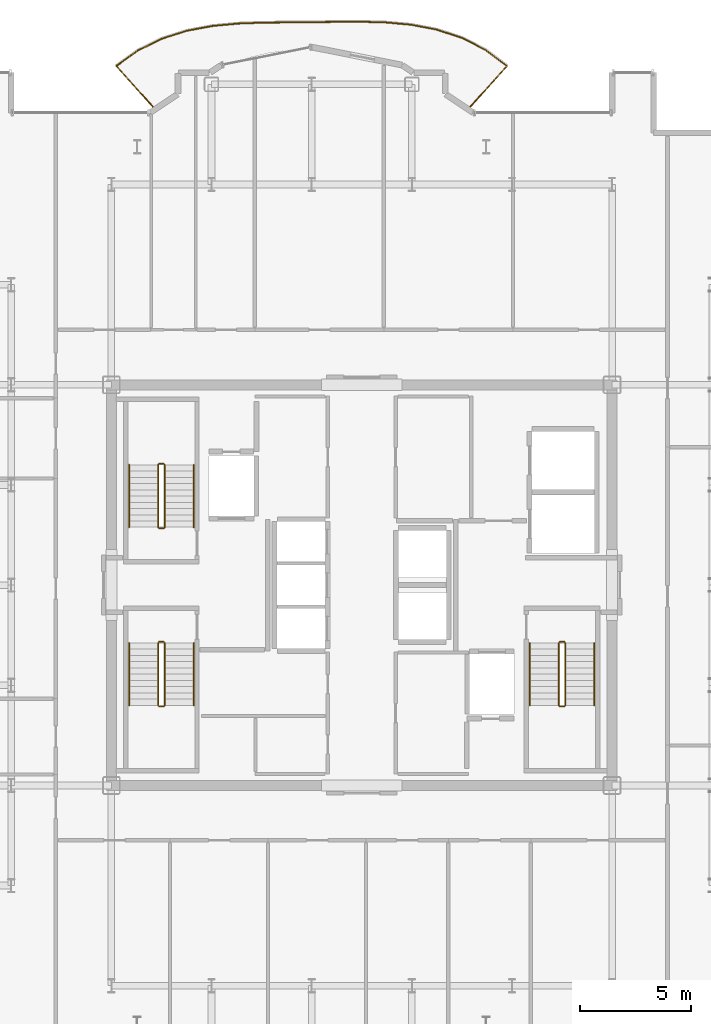
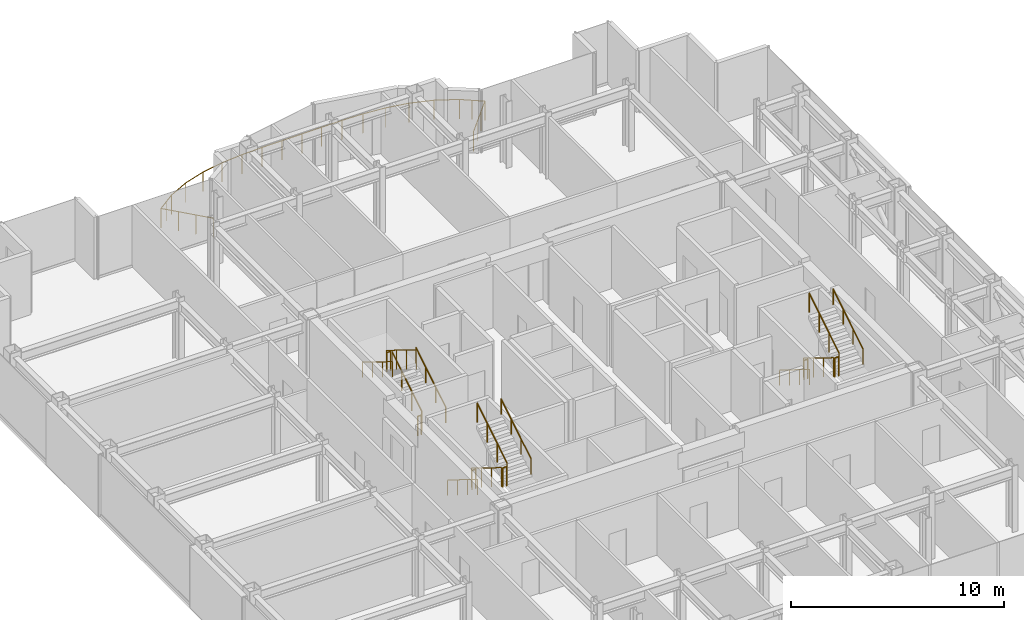
# One storey, part 16 of 16: 19 railings.
"""IFC4 building model written with IfcOpenShell, lengths in metres."""

import ifcopenshell
import ifcopenshell.guid

model = None  # the IFC model being written
_history = None  # IfcOwnerHistory: only IFC2X3 demands one
_inside = {}  # id of a spatial element -> (the spatial element, [elements in it])
_under = {}  # id of a project, library or spatial element -> (it, [spatial elements below it])
_declared = {}  # id of a project -> (the project, [libraries it declares])
_typed = {}  # id of a type object -> (the type object, [elements of that type])
_made_of = {}  # id of a material, layer set ... -> (it, [elements and type objects made of it])


def new_model(schema):
    """Start an empty IFC model of exactly this schema.

    Asked for "IFC4X3", IfcOpenShell would pick the latest addendum, in which some entities
    have other attributes; the version numbers below select the first issue.
    IFC2X3 requires an IfcOwnerHistory on every rooted entity: one is made here for all.
    """
    global model, _history
    if schema == "IFC4X3":
        model = ifcopenshell.file(schema_version=(4, 3, 0, 0))
    else:
        model = ifcopenshell.file(schema=schema)
    _inside.clear()
    _under.clear()
    _declared.clear()
    _typed.clear()
    _made_of.clear()
    _history = None
    if model.schema == "IFC2X3":
        org = make("IfcOrganization", Name="unknown")
        user = make(
            "IfcPersonAndOrganization",
            ThePerson=make("IfcPerson", FamilyName="unknown"),
            TheOrganization=org,
        )
        app = make(
            "IfcApplication",
            ApplicationDeveloper=org,
            Version="unknown",
            ApplicationFullName="unknown",
            ApplicationIdentifier="unknown",
        )
        _history = make(
            "IfcOwnerHistory",
            OwningUser=user,
            OwningApplication=app,
            ChangeAction="ADDED",
            CreationDate=0,
        )
    return model


def make(cls, **values):
    """One entity of the class cls with the attributes given. An attribute that is None is left unset."""
    return model.create_entity(
        cls, **{name: value for name, value in values.items() if value is not None}
    )


def rooted(cls, **values):
    """An entity with a GlobalId (a new one), such as an element, a storey or a relation."""
    return make(cls, GlobalId=ifcopenshell.guid.new(), OwnerHistory=_history, **values)


def si_unit(unit_type, name, prefix=None):
    """IfcSIUnit, for example si_unit("LENGTHUNIT", "METRE", prefix="MILLI")."""
    return make("IfcSIUnit", UnitType=unit_type, Prefix=prefix, Name=name)


def assignment(units):
    """IfcUnitAssignment: the units of a project."""
    return None if units is None else make("IfcUnitAssignment", Units=units)


def point(xyz):
    """IfcCartesianPoint."""
    return None if xyz is None else make("IfcCartesianPoint", Coordinates=xyz)


def direction(xyz):
    """IfcDirection."""
    return None if xyz is None else make("IfcDirection", DirectionRatios=xyz)


def frame(location, z_axis=None, x_axis=None):
    """IfcAxis2Placement3D, a coordinate frame: its origin and axes. An axis left out is left unset."""
    return make(
        "IfcAxis2Placement3D",
        Location=point(location),
        Axis=direction(z_axis),
        RefDirection=direction(x_axis),
    )


def frame_2d(location, x_axis=None):
    """IfcAxis2Placement2D, a coordinate frame in the plane: its origin and x axis."""
    return make(
        "IfcAxis2Placement2D", Location=point(location), RefDirection=direction(x_axis)
    )


def origin():
    """The frame at (0, 0, 0) with its axes left unset."""
    return frame((0.0, 0.0, 0.0))


def origin_2d():
    """The frame at (0, 0) in the plane with its x axis left unset."""
    return frame_2d((0.0, 0.0))


def place(relative_to, where):
    """IfcLocalPlacement: puts the frame where relative to a parent placement (None: the world)."""
    return make(
        "IfcLocalPlacement", PlacementRelTo=relative_to, RelativePlacement=where
    )


def context(
    kind, dimensions, precision=None, world=None, true_north=None, identifier=None
):
    """IfcGeometricRepresentationContext, for example the 3D "Model" context."""
    return make(
        "IfcGeometricRepresentationContext",
        ContextIdentifier=identifier,
        ContextType=kind,
        CoordinateSpaceDimension=dimensions,
        Precision=precision,
        WorldCoordinateSystem=world,
        TrueNorth=true_north,
    )


def subcontext(parent, identifier, kind, view, scale=None):
    """IfcGeometricRepresentationSubContext, for example "Body" below "Model"."""
    return make(
        "IfcGeometricRepresentationSubContext",
        ContextIdentifier=identifier,
        ContextType=kind,
        ParentContext=parent,
        TargetScale=scale,
        TargetView=view,
    )


def project(units=None, contexts=None):
    """IfcProject with its units and contexts."""
    return rooted(
        "IfcProject",
        Name="project",
        RepresentationContexts=contexts,
        UnitsInContext=assignment(units),
    )


def spatial(cls, under=None, at=None, **own):
    """A site, building, storey or space (cls), placed at a placement, below another one or the project."""
    s = rooted(cls, ObjectPlacement=at, **own)
    if under is not None:
        _under.setdefault(under.id(), (under, []))[1].append(s)
    return s


def profile(cls, at=None, kind="AREA", **sizes):
    """A parametric profile (cls). Its sizes go by their IFC names, for example OverallWidth=200.0."""
    return make(cls, ProfileType=kind, Position=at, **sizes)


def circle(**sizes):
    """IfcCircleProfileDef."""
    return profile("IfcCircleProfileDef", **sizes)


def extrude(swept, where, along, depth):
    """IfcExtrudedAreaSolid: the profile swept, set in the frame where, extruded along a direction by depth."""
    return make(
        "IfcExtrudedAreaSolid",
        SweptArea=swept,
        Position=where,
        ExtrudedDirection=direction(along),
        Depth=depth,
    )


def shape(context_of_items, identifier, shape_type, items):
    """IfcShapeRepresentation: the items that make up one representation, for example the "Body"."""
    return make(
        "IfcShapeRepresentation",
        ContextOfItems=context_of_items,
        RepresentationIdentifier=identifier,
        RepresentationType=shape_type,
        Items=items,
    )


def material(Name=None, Category=None):
    """IfcMaterial."""
    return make("IfcMaterial", Name=Name, Category=Category)


def made_of(thing, what):
    """Note that an element or type object is made of a material, layer set ...; save() writes the relation."""
    if what is not None:
        _made_of.setdefault(what.id(), (what, []))[1].append(thing)
    return thing


def type_object(cls, material=None, **own):
    """A type object (cls), such as IfcWallType, which elements share."""
    return made_of(rooted(cls, **own), material)


def element(
    cls,
    number,
    at=None,
    inside=None,
    cuts=None,
    type_object=None,
    material=None,
    context=None,
    identifier="Body",
    shape_type=None,
    held_by="IfcProductDefinitionShape",
    body=None,
    shapes=None,
    **own,
):
    """One element of the class cls, such as IfcWall. Its Tag is "e" and its number.

    at: its placement. inside: the storey or other place that contains it. cuts: it is an
    opening in that element (IfcRelVoidsElement). A single representation is given by context,
    identifier, shape_type and body (its items); several are given by shapes. held_by: the class
    of the entity that holds the representations. save() writes the other relations.
    """
    e = rooted(cls, Tag="e%d" % number, ObjectPlacement=at, **own)
    if body is not None:
        shapes = [shape(context, identifier, shape_type, body)]
    if shapes is not None:
        e.Representation = make(held_by, Representations=shapes)
    if inside is not None:
        _inside.setdefault(inside.id(), (inside, []))[1].append(e)
    if cuts is not None:
        rooted(
            "IfcRelVoidsElement", RelatingBuildingElement=cuts, RelatedOpeningElement=e
        )
    if type_object is not None:
        _typed.setdefault(type_object.id(), (type_object, []))[1].append(e)
    return made_of(e, material)


def aggregate(whole, parts):
    """IfcRelAggregates: a whole, such as a stair, and the parts it consists of."""
    return rooted("IfcRelAggregates", RelatingObject=whole, RelatedObjects=parts)


def save(model, path):
    """Write the relations noted so far, then the file.

    IfcRelAggregates (storeys below a building ...), IfcRelContainedInSpatialStructure (elements
    in a storey), IfcRelDefinesByType, IfcRelAssociatesMaterial and IfcRelDeclares: one each for
    every whole, place, type object, material and project.
    """
    for whole, parts in _under.values():
        aggregate(whole, parts)
    for where, things in _inside.values():
        rooted(
            "IfcRelContainedInSpatialStructure",
            RelatedElements=things,
            RelatingStructure=where,
        )
    for kind, things in _typed.values():
        rooted("IfcRelDefinesByType", RelatedObjects=things, RelatingType=kind)
    for what, things in _made_of.values():
        rooted("IfcRelAssociatesMaterial", RelatedObjects=things, RelatingMaterial=what)
    for by, libraries in _declared.values():
        rooted("IfcRelDeclares", RelatingContext=by, RelatedDefinitions=libraries)
    model.write(path)


model = new_model("IFC4")

# Units and contexts
model_context = context("Model", 3, precision=1e-05, world=origin(), true_north=direction((0.0, 1.0)))
body_context = subcontext(model_context, "Body", "Model", "MODEL_VIEW")
ifc_project = project(units=[si_unit("LENGTHUNIT", "METRE"), si_unit("AREAUNIT", "SQUARE_METRE"), si_unit("VOLUMEUNIT", "CUBIC_METRE"), si_unit("PLANEANGLEUNIT", "RADIAN"), si_unit("MASSUNIT", "GRAM", prefix="KILO")], contexts=[model_context])

# Site, building, storey
site_placement = place(None, origin())
site = spatial("IfcSite", under=ifc_project, at=site_placement, CompositionType="ELEMENT")
building_placement = place(site_placement, origin())
building = spatial("IfcBuilding", under=site, at=building_placement, Name="Nefas-Gora Pilgrimage Tower", CompositionType="ELEMENT")
storey_placement = place(building_placement, frame((0.0, 0.0, 276.0)))
storey = spatial("IfcBuildingStorey", under=building, at=storey_placement, Name="L69", CompositionType="ELEMENT", Elevation=276.0)

# Railings
ifc_material_1 = material(Name="Laminated safety glass and stainless steel", Category="steel")
railing_type_1 = type_object("IfcRailingType", Name="RLG-BAL-1100", PredefinedType="BALUSTRADE", material=ifc_material_1)
railing_1_placement = place(storey_placement, frame((4.802490234375, 21.402587890625, 0.0)))
element("IfcRailing", 1, at=railing_1_placement, inside=storey, type_object=railing_type_1, Name="L69 Wave Balcony Balustrade N1", PredefinedType="BALUSTRADE", context=body_context, shape_type="SweptSolid", body=[
    extrude(circle(Radius=0.02392578125, at=origin_2d()), frame((0.0, 0.0, 1.09619140625), z_axis=(0.669142449017, 0.743134162129, 0.0), x_axis=(-0.743134162129, 0.669142449017, 0.0)), (0.0, 0.0, 1.0), 2.580322265625),
    extrude(circle(Radius=0.02392578125, at=origin_2d()), frame((1.7265625, 1.91748046875, 1.09619140625), z_axis=(-0.799609380454, 0.600520473164, 0.0), x_axis=(-0.600520473164, -0.799609380454, 0.0)), (0.0, 0.0, 1.0), 1.200439453125),
    extrude(circle(Radius=0.02392578125, at=origin_2d()), frame((0.7666015625, 2.638427734375, 1.09619140625), z_axis=(-0.890733279512, 0.45452637412, 0.0), x_axis=(-0.45452637412, -0.890733279512, 0.0)), (0.0, 0.0, 1.0), 1.199462890625),
    extrude(circle(Radius=0.02392578125, at=origin_2d()), frame((-0.3017578125, 3.18359375, 1.09619140625), z_axis=(-0.950145160324, 0.311807912523, 0.0), x_axis=(-0.311807912523, -0.950145160324, 0.0)), (0.0, 0.0, 1.0), 1.194091796875),
    extrude(circle(Radius=0.02392578125, at=origin_2d()), frame((-1.436279296875, 3.555908203125, 1.09619140625), z_axis=(-0.982457799544, 0.186485045284, 0.0), x_axis=(-0.186485045284, -0.982457799544, 0.0)), (0.0, 0.0, 1.0), 1.180908203125),
    extrude(circle(Radius=0.02392578125, at=origin_2d()), frame((-2.596435546875, 3.776123046875, 1.09619140625), z_axis=(-0.996011638398, 0.089223405981, 0.0), x_axis=(-0.089223405981, -0.996011638398, 0.0)), (0.0, 0.0, 1.0), 1.157470703125),
    extrude(circle(Radius=0.02392578125, at=origin_2d()), frame((-3.749267578125, 3.87939453125, 1.09619140625), z_axis=(-0.99967356135, 0.025549378436, 0.0), x_axis=(-0.025549378436, -0.99967356135, 0.0)), (0.0, 0.0, 1.0), 1.127685546875),
    extrude(circle(Radius=0.02392578125, at=origin_2d()), frame((-4.87646484375, 3.908203125, 1.09619140625), z_axis=(-0.999980616702, -0.00622625245, 0.0), x_axis=(0.00622625245, -0.999980616702, 0.0)), (0.0, 0.0, 1.0), 1.097900390625),
    extrude(circle(Radius=0.02392578125, at=origin_2d()), frame((-5.974365234375, 3.9013671875, 1.09619140625), z_axis=(-0.99992244912, -0.012453744271, 0.0), x_axis=(0.012453744271, -0.99992244912, 0.0)), (0.0, 0.0, 1.0), 1.078125),
    extrude(circle(Radius=0.02392578125, at=origin_2d()), frame((-7.052490234375, 3.887939453125, 1.09619140625), z_axis=(-0.999968478826, -0.007939858611, 0.0), x_axis=(0.007939858611, -0.999968478826, 0.0)), (0.0, 0.0, 1.0), 1.076171875),
    extrude(circle(Radius=0.02392578125, at=origin_2d()), frame((-8.128662109375, 3.87939453125, 1.09619140625), z_axis=(-0.999947171878, -0.010278786571, 0.0), x_axis=(0.010278786571, -0.999947171878, 0.0)), (0.0, 0.0, 1.0), 1.092529296875),
    extrude(circle(Radius=0.02392578125, at=origin_2d()), frame((-9.22119140625, 3.8681640625, 1.09619140625), z_axis=(-0.99936174395, -0.03572260811, 0.0), x_axis=(0.03572260811, -0.99936174395, 0.0)), (0.0, 0.0, 1.0), 1.120849609375),
    extrude(circle(Radius=0.02392578125, at=origin_2d()), frame((-10.34130859375, 3.828125, 1.09619140625), z_axis=(-0.995737068409, -0.092237143262, 0.0), x_axis=(0.092237143262, -0.995737068409, 0.0)), (0.0, 0.0, 1.0), 1.1513671875),
    extrude(circle(Radius=0.02392578125, at=origin_2d()), frame((-11.48779296875, 3.721923828125, 1.09619140625), z_axis=(-0.983222780011, -0.182408785063, 0.0), x_axis=(0.182408785063, -0.983222780011, 0.0)), (0.0, 0.0, 1.0), 1.176513671875),
    extrude(circle(Radius=0.02392578125, at=origin_2d()), frame((-12.64453125, 3.50732421875, 1.09619140625), z_axis=(-0.953347137132, -0.301876193369, 0.0), x_axis=(0.301876193369, -0.953347137132, 0.0)), (0.0, 0.0, 1.0), 1.192138671875),
    extrude(circle(Radius=0.02392578125, at=origin_2d()), frame((-13.781005859375, 3.1474609375, 1.09619140625), z_axis=(-0.8975416003, -0.440929785489, 0.0), x_axis=(0.440929785489, -0.8975416003, 0.0)), (0.0, 0.0, 1.0), 1.19873046875),
    extrude(circle(Radius=0.02392578125, at=origin_2d()), frame((-14.85693359375, 2.618896484375, 1.09619140625), z_axis=(-0.81049147795, -0.58575042823, 0.0), x_axis=(0.58575042823, -0.81049147795, 0.0)), (0.0, 0.0, 1.0), 1.200439453125),
    extrude(circle(Radius=0.02392578125, at=origin_2d()), frame((-15.829833984375, 1.915771484375, 1.09619140625), z_axis=(0.669105995394, -0.743166984552, 0.0), x_axis=(0.743166984552, 0.669105995394, 0.0)), (0.0, 0.0, 1.0), 2.577880859375),
    extrude(circle(Radius=0.02099609375, at=origin_2d()), origin(), (0.0, 0.0, 1.0), 1.072021484375),
    extrude(circle(Radius=0.02099609375, at=origin_2d()), frame((0.575439453125, 0.63916015625, 0.0)), (0.0, 0.0, 1.0), 1.072021484375),
    extrude(circle(Radius=0.02099609375, at=origin_2d()), frame((1.151123046875, 1.2783203125, 0.0)), (0.0, 0.0, 1.0), 1.072021484375),
    extrude(circle(Radius=0.02099609375, at=origin_2d()), frame((1.7265625, 1.91748046875, 0.0)), (0.0, 0.0, 1.0), 1.072021484375),
    extrude(circle(Radius=0.02099609375, at=origin_2d()), frame((1.24658203125, 2.27783203125, 0.0)), (0.0, 0.0, 1.0), 1.072021484375),
    extrude(circle(Radius=0.02099609375, at=origin_2d()), frame((0.7666015625, 2.638427734375, 0.0)), (0.0, 0.0, 1.0), 1.072021484375),
    extrude(circle(Radius=0.02099609375, at=origin_2d()), frame((-0.3017578125, 3.18359375, 0.0)), (0.0, 0.0, 1.0), 1.072021484375),
    extrude(circle(Radius=0.02099609375, at=origin_2d()), frame((-1.436279296875, 3.555908203125, 0.0)), (0.0, 0.0, 1.0), 1.072021484375),
    extrude(circle(Radius=0.02099609375, at=origin_2d()), frame((-2.596435546875, 3.776123046875, 0.0)), (0.0, 0.0, 1.0), 1.072021484375),
    extrude(circle(Radius=0.02099609375, at=origin_2d()), frame((-3.749267578125, 3.87939453125, 0.0)), (0.0, 0.0, 1.0), 1.072021484375),
    extrude(circle(Radius=0.02099609375, at=origin_2d()), frame((-4.87646484375, 3.908203125, 0.0)), (0.0, 0.0, 1.0), 1.072021484375),
    extrude(circle(Radius=0.02099609375, at=origin_2d()), frame((-5.974365234375, 3.9013671875, 0.0)), (0.0, 0.0, 1.0), 1.072021484375),
    extrude(circle(Radius=0.02099609375, at=origin_2d()), frame((-7.052490234375, 3.887939453125, 0.0)), (0.0, 0.0, 1.0), 1.072021484375),
    extrude(circle(Radius=0.02099609375, at=origin_2d()), frame((-8.128662109375, 3.87939453125, 0.0)), (0.0, 0.0, 1.0), 1.072021484375),
    extrude(circle(Radius=0.02099609375, at=origin_2d()), frame((-9.22119140625, 3.8681640625, 0.0)), (0.0, 0.0, 1.0), 1.072021484375),
    extrude(circle(Radius=0.02099609375, at=origin_2d()), frame((-10.34130859375, 3.828125, 0.0)), (0.0, 0.0, 1.0), 1.072021484375),
    extrude(circle(Radius=0.02099609375, at=origin_2d()), frame((-11.48779296875, 3.721923828125, 0.0)), (0.0, 0.0, 1.0), 1.072021484375),
    extrude(circle(Radius=0.02099609375, at=origin_2d()), frame((-12.64453125, 3.50732421875, 0.0)), (0.0, 0.0, 1.0), 1.072021484375),
    extrude(circle(Radius=0.02099609375, at=origin_2d()), frame((-13.781005859375, 3.1474609375, 0.0)), (0.0, 0.0, 1.0), 1.072021484375),
    extrude(circle(Radius=0.02099609375, at=origin_2d()), frame((-14.85693359375, 2.618896484375, 0.0)), (0.0, 0.0, 1.0), 1.072021484375),
    extrude(circle(Radius=0.02099609375, at=origin_2d()), frame((-15.34326171875, 2.267333984375, 0.0)), (0.0, 0.0, 1.0), 1.072021484375),
    extrude(circle(Radius=0.02099609375, at=origin_2d()), frame((-15.829833984375, 1.915771484375, 0.0)), (0.0, 0.0, 1.0), 1.072021484375),
    extrude(circle(Radius=0.02099609375, at=origin_2d()), frame((-15.2548828125, 1.277099609375, 0.0)), (0.0, 0.0, 1.0), 1.072021484375),
    extrude(circle(Radius=0.02099609375, at=origin_2d()), frame((-14.679931640625, 0.638671875, 0.0)), (0.0, 0.0, 1.0), 1.072021484375),
    extrude(circle(Radius=0.02099609375, at=origin_2d()), frame((-14.10498046875, 0.0, 0.0)), (0.0, 0.0, 1.0), 1.072021484375),
])
ifc_material_2 = material(Name="Painted galvanised steel", Category="steel")
railing_type_2 = type_object("IfcRailingType", Name="RLG-STR-GUARD-1100", PredefinedType="GUARDRAIL", material=ifc_material_2)
railing_2_placement = place(storey_placement, frame((-8.85009765625, 2.60009765625, 0.172607421875)))
element("IfcRailing", 2, at=railing_2_placement, inside=storey, type_object=railing_type_2, Name="L69 ST-01 stair guard 1", PredefinedType="GUARDRAIL", context=body_context, shape_type="SweptSolid", body=[
    extrude(circle(Radius=0.02392578125, at=origin_2d()), frame((0.0, 0.0, 1.09619140625), z_axis=(0.0, 0.851069175582, 0.525053576669), x_axis=(-1.0, 0.0, 0.0)), (0.0, 0.0, 1.0), 3.289794921875),
    extrude(circle(Radius=0.02099609375, at=origin_2d()), origin(), (0.0, 0.0, 1.0), 1.072021484375),
    extrude(circle(Radius=0.02099609375, at=origin_2d()), frame((0.0, 0.933349609375, 0.57568359375)), (0.0, 0.0, 1.0), 1.072021484375),
    extrude(circle(Radius=0.02099609375, at=origin_2d()), frame((0.0, 1.866455078125, 1.151611328125)), (0.0, 0.0, 1.0), 1.072021484375),
    extrude(circle(Radius=0.02099609375, at=origin_2d()), frame((0.0, 2.7998046875, 1.727294921875)), (0.0, 0.0, 1.0), 1.072021484375),
])
railing_3_placement = place(storey_placement, frame((-8.89990234375, 5.449951171875, 1.89990234375)))
element("IfcRailing", 3, at=railing_3_placement, inside=storey, type_object=railing_type_2, Name="L69 ST-01 stair guard 2", PredefinedType="GUARDRAIL", context=body_context, shape_type="SweptSolid", body=[
    extrude(circle(Radius=0.02392578125, at=origin_2d()), frame((0.0, 0.0, 1.09619140625), z_axis=(-1.0, 0.0, 0.0), x_axis=(0.0, -1.0, 0.0)), (0.0, 0.0, 1.0), 0.2001953125),
    extrude(circle(Radius=0.02099609375, at=origin_2d()), origin(), (0.0, 0.0, 1.0), 1.072021484375),
    extrude(circle(Radius=0.02099609375, at=origin_2d()), frame((-0.2001953125, 0.0, 0.0)), (0.0, 0.0, 1.0), 1.072021484375),
])
railing_4_placement = place(storey_placement, frame((-9.14990234375, 5.39990234375, 2.07275390625)))
element("IfcRailing", 4, at=railing_4_placement, inside=storey, type_object=railing_type_2, Name="L69 ST-01 stair guard 3", PredefinedType="GUARDRAIL", context=body_context, shape_type="SweptSolid", body=[
    extrude(circle(Radius=0.02392578125, at=origin_2d()), frame((0.0, 0.0, 1.09619140625), z_axis=(0.0, -0.851069175582, 0.525053576669), x_axis=(1.0, 0.0, 0.0)), (0.0, 0.0, 1.0), 3.289794921875),
    extrude(circle(Radius=0.02099609375, at=origin_2d()), origin(), (0.0, 0.0, 1.0), 1.072021484375),
    extrude(circle(Radius=0.02099609375, at=origin_2d()), frame((0.0, -0.933349609375, 0.57568359375)), (0.0, 0.0, 1.0), 1.072021484375),
    extrude(circle(Radius=0.02099609375, at=origin_2d()), frame((0.0, -1.866455078125, 1.151611328125)), (0.0, 0.0, 1.0), 1.072021484375),
    extrude(circle(Radius=0.02099609375, at=origin_2d()), frame((0.0, -2.7998046875, 1.727294921875)), (0.0, 0.0, 1.0), 1.072021484375),
])
railing_5_placement = place(storey_placement, frame((-8.89990234375, 2.550048828125, 0.0)))
element("IfcRailing", 5, at=railing_5_placement, inside=storey, type_object=railing_type_2, Name="L69 ST-01 stair guard 4", PredefinedType="GUARDRAIL", context=body_context, shape_type="SweptSolid", body=[
    extrude(circle(Radius=0.02392578125, at=origin_2d()), frame((0.0, 0.0, 1.09619140625), z_axis=(-1.0, 0.0, 0.0), x_axis=(0.0, -1.0, 0.0)), (0.0, 0.0, 1.0), 0.2001953125),
    extrude(circle(Radius=0.02099609375, at=origin_2d()), origin(), (0.0, 0.0, 1.0), 1.072021484375),
    extrude(circle(Radius=0.02099609375, at=origin_2d()), frame((-0.2001953125, 0.0, 0.0)), (0.0, 0.0, 1.0), 1.072021484375),
])
railing_6_placement = place(storey_placement, frame((8.85009765625, -2.60009765625, 0.172607421875)))
element("IfcRailing", 6, at=railing_6_placement, inside=storey, type_object=railing_type_2, Name="L69 ST-02 stair guard 1", PredefinedType="GUARDRAIL", context=body_context, shape_type="SweptSolid", body=[
    extrude(circle(Radius=0.02392578125, at=origin_2d()), frame((0.0, 0.0, 1.09619140625), z_axis=(0.0, -0.851069175582, 0.525053576669), x_axis=(1.0, 0.0, 0.0)), (0.0, 0.0, 1.0), 3.289794921875),
    extrude(circle(Radius=0.02099609375, at=origin_2d()), origin(), (0.0, 0.0, 1.0), 1.072021484375),
    extrude(circle(Radius=0.02099609375, at=origin_2d()), frame((0.0, -0.933349609375, 0.57568359375)), (0.0, 0.0, 1.0), 1.072021484375),
    extrude(circle(Radius=0.02099609375, at=origin_2d()), frame((0.0, -1.866455078125, 1.151611328125)), (0.0, 0.0, 1.0), 1.072021484375),
    extrude(circle(Radius=0.02099609375, at=origin_2d()), frame((0.0, -2.7998046875, 1.727294921875)), (0.0, 0.0, 1.0), 1.072021484375),
])
railing_7_placement = place(storey_placement, frame((8.89990234375, -5.449951171875, 1.89990234375)))
element("IfcRailing", 7, at=railing_7_placement, inside=storey, type_object=railing_type_2, Name="L69 ST-02 stair guard 2", PredefinedType="GUARDRAIL", context=body_context, shape_type="SweptSolid", body=[
    extrude(circle(Radius=0.02392578125, at=origin_2d()), frame((0.0, 0.0, 1.09619140625), z_axis=(1.0, 0.0, 0.0), x_axis=(0.0, 1.0, 0.0)), (0.0, 0.0, 1.0), 0.2001953125),
    extrude(circle(Radius=0.02099609375, at=origin_2d()), origin(), (0.0, 0.0, 1.0), 1.072021484375),
    extrude(circle(Radius=0.02099609375, at=origin_2d()), frame((0.2001953125, 0.0, 0.0)), (0.0, 0.0, 1.0), 1.072021484375),
])
railing_8_placement = place(storey_placement, frame((9.14990234375, -5.39990234375, 2.07275390625)))
element("IfcRailing", 8, at=railing_8_placement, inside=storey, type_object=railing_type_2, Name="L69 ST-02 stair guard 3", PredefinedType="GUARDRAIL", context=body_context, shape_type="SweptSolid", body=[
    extrude(circle(Radius=0.02392578125, at=origin_2d()), frame((0.0, 0.0, 1.09619140625), z_axis=(0.0, 0.851069175582, 0.525053576669), x_axis=(-1.0, 0.0, 0.0)), (0.0, 0.0, 1.0), 3.289794921875),
    extrude(circle(Radius=0.02099609375, at=origin_2d()), origin(), (0.0, 0.0, 1.0), 1.072021484375),
    extrude(circle(Radius=0.02099609375, at=origin_2d()), frame((0.0, 0.933349609375, 0.57568359375)), (0.0, 0.0, 1.0), 1.072021484375),
    extrude(circle(Radius=0.02099609375, at=origin_2d()), frame((0.0, 1.866455078125, 1.151611328125)), (0.0, 0.0, 1.0), 1.072021484375),
    extrude(circle(Radius=0.02099609375, at=origin_2d()), frame((0.0, 2.7998046875, 1.727294921875)), (0.0, 0.0, 1.0), 1.072021484375),
])
railing_9_placement = place(storey_placement, frame((8.89990234375, -2.550048828125, 0.0)))
element("IfcRailing", 9, at=railing_9_placement, inside=storey, type_object=railing_type_2, Name="L69 ST-02 stair guard 4", PredefinedType="GUARDRAIL", context=body_context, shape_type="SweptSolid", body=[
    extrude(circle(Radius=0.02392578125, at=origin_2d()), frame((0.0, 0.0, 1.09619140625), z_axis=(1.0, 0.0, 0.0), x_axis=(0.0, 1.0, 0.0)), (0.0, 0.0, 1.0), 0.2001953125),
    extrude(circle(Radius=0.02099609375, at=origin_2d()), origin(), (0.0, 0.0, 1.0), 1.072021484375),
    extrude(circle(Radius=0.02099609375, at=origin_2d()), frame((0.2001953125, 0.0, 0.0)), (0.0, 0.0, 1.0), 1.072021484375),
])
railing_10_placement = place(storey_placement, frame((-9.14990234375, -2.60009765625, 0.172607421875)))
element("IfcRailing", 10, at=railing_10_placement, inside=storey, type_object=railing_type_2, Name="L69 ST-03 stair guard 1", PredefinedType="GUARDRAIL", context=body_context, shape_type="SweptSolid", body=[
    extrude(circle(Radius=0.02392578125, at=origin_2d()), frame((0.0, 0.0, 1.09619140625), z_axis=(0.0, -0.851069175582, 0.525053576669), x_axis=(1.0, 0.0, 0.0)), (0.0, 0.0, 1.0), 3.289794921875),
    extrude(circle(Radius=0.02099609375, at=origin_2d()), origin(), (0.0, 0.0, 1.0), 1.072021484375),
    extrude(circle(Radius=0.02099609375, at=origin_2d()), frame((0.0, -0.933349609375, 0.57568359375)), (0.0, 0.0, 1.0), 1.072021484375),
    extrude(circle(Radius=0.02099609375, at=origin_2d()), frame((0.0, -1.866455078125, 1.151611328125)), (0.0, 0.0, 1.0), 1.072021484375),
    extrude(circle(Radius=0.02099609375, at=origin_2d()), frame((0.0, -2.7998046875, 1.727294921875)), (0.0, 0.0, 1.0), 1.072021484375),
])
railing_11_placement = place(storey_placement, frame((-9.10009765625, -5.449951171875, 1.89990234375)))
element("IfcRailing", 11, at=railing_11_placement, inside=storey, type_object=railing_type_2, Name="L69 ST-03 stair guard 2", PredefinedType="GUARDRAIL", context=body_context, shape_type="SweptSolid", body=[
    extrude(circle(Radius=0.02392578125, at=origin_2d()), frame((0.0, 0.0, 1.09619140625), z_axis=(1.0, 0.0, 0.0), x_axis=(0.0, 1.0, 0.0)), (0.0, 0.0, 1.0), 0.2001953125),
    extrude(circle(Radius=0.02099609375, at=origin_2d()), origin(), (0.0, 0.0, 1.0), 1.072021484375),
    extrude(circle(Radius=0.02099609375, at=origin_2d()), frame((0.2001953125, 0.0, 0.0)), (0.0, 0.0, 1.0), 1.072021484375),
])
railing_12_placement = place(storey_placement, frame((-8.85009765625, -5.39990234375, 2.07275390625)))
element("IfcRailing", 12, at=railing_12_placement, inside=storey, type_object=railing_type_2, Name="L69 ST-03 stair guard 3", PredefinedType="GUARDRAIL", context=body_context, shape_type="SweptSolid", body=[
    extrude(circle(Radius=0.02392578125, at=origin_2d()), frame((0.0, 0.0, 1.09619140625), z_axis=(0.0, 0.851069175582, 0.525053576669), x_axis=(-1.0, 0.0, 0.0)), (0.0, 0.0, 1.0), 3.289794921875),
    extrude(circle(Radius=0.02099609375, at=origin_2d()), origin(), (0.0, 0.0, 1.0), 1.072021484375),
    extrude(circle(Radius=0.02099609375, at=origin_2d()), frame((0.0, 0.933349609375, 0.57568359375)), (0.0, 0.0, 1.0), 1.072021484375),
    extrude(circle(Radius=0.02099609375, at=origin_2d()), frame((0.0, 1.866455078125, 1.151611328125)), (0.0, 0.0, 1.0), 1.072021484375),
    extrude(circle(Radius=0.02099609375, at=origin_2d()), frame((0.0, 2.7998046875, 1.727294921875)), (0.0, 0.0, 1.0), 1.072021484375),
])
railing_13_placement = place(storey_placement, frame((-9.10009765625, -2.550048828125, 0.0)))
element("IfcRailing", 13, at=railing_13_placement, inside=storey, type_object=railing_type_2, Name="L69 ST-03 stair guard 4", PredefinedType="GUARDRAIL", context=body_context, shape_type="SweptSolid", body=[
    extrude(circle(Radius=0.02392578125, at=origin_2d()), frame((0.0, 0.0, 1.09619140625), z_axis=(1.0, 0.0, 0.0), x_axis=(0.0, 1.0, 0.0)), (0.0, 0.0, 1.0), 0.2001953125),
    extrude(circle(Radius=0.02099609375, at=origin_2d()), origin(), (0.0, 0.0, 1.0), 1.072021484375),
    extrude(circle(Radius=0.02099609375, at=origin_2d()), frame((0.2001953125, 0.0, 0.0)), (0.0, 0.0, 1.0), 1.072021484375),
])
ifc_material_3 = material(Name="Brushed stainless steel", Category="steel")
railing_type_3 = type_object("IfcRailingType", Name="RLG-STR-HAND-900", PredefinedType="HANDRAIL", material=ifc_material_3)
railing_14_placement = place(storey_placement, frame((-7.550048828125, 2.60009765625, 0.172607421875)))
element("IfcRailing", 14, at=railing_14_placement, inside=storey, type_object=railing_type_3, Name="L69 ST-01 stair handrail 1", PredefinedType="HANDRAIL", context=body_context, shape_type="SweptSolid", body=[
    extrude(circle(Radius=0.02392578125, at=origin_2d()), frame((0.0, 0.0, 0.8759765625), z_axis=(0.0, 0.851069175582, 0.525053576669), x_axis=(-1.0, 0.0, 0.0)), (0.0, 0.0, 1.0), 3.289794921875),
    extrude(circle(Radius=0.02099609375, at=origin_2d()), origin(), (0.0, 0.0, 1.0), 0.851806640625),
    extrude(circle(Radius=0.02099609375, at=origin_2d()), frame((0.0, 0.933349609375, 0.57568359375)), (0.0, 0.0, 1.0), 0.851806640625),
    extrude(circle(Radius=0.02099609375, at=origin_2d()), frame((0.0, 1.866455078125, 1.151611328125)), (0.0, 0.0, 1.0), 0.851806640625),
    extrude(circle(Radius=0.02099609375, at=origin_2d()), frame((0.0, 2.7998046875, 1.727294921875)), (0.0, 0.0, 1.0), 0.851806640625),
])
for number, where, name in (
    (15, (-10.449951171875, 5.39990234375, 2.07275390625), "L69 ST-01 stair handrail 2"),
    (16, (7.550048828125, -2.60009765625, 0.172607421875), "L69 ST-02 stair handrail 1"),
):
    element("IfcRailing", number, at=place(storey_placement, frame(where)), inside=storey, type_object=railing_type_3, Name=name, PredefinedType="HANDRAIL", context=body_context, shape_type="SweptSolid", body=[
        extrude(circle(Radius=0.02392578125, at=origin_2d()), frame((0.0, 0.0, 0.8759765625), z_axis=(0.0, -0.851069175582, 0.525053576669), x_axis=(1.0, 0.0, 0.0)), (0.0, 0.0, 1.0), 3.289794921875),
        extrude(circle(Radius=0.02099609375, at=origin_2d()), origin(), (0.0, 0.0, 1.0), 0.851806640625),
        extrude(circle(Radius=0.02099609375, at=origin_2d()), frame((0.0, -0.933349609375, 0.57568359375)), (0.0, 0.0, 1.0), 0.851806640625),
        extrude(circle(Radius=0.02099609375, at=origin_2d()), frame((0.0, -1.866455078125, 1.151611328125)), (0.0, 0.0, 1.0), 0.851806640625),
        extrude(circle(Radius=0.02099609375, at=origin_2d()), frame((0.0, -2.7998046875, 1.727294921875)), (0.0, 0.0, 1.0), 0.851806640625),
    ])
railing_15_placement = place(storey_placement, frame((10.449951171875, -5.39990234375, 2.07275390625)))
element("IfcRailing", 17, at=railing_15_placement, inside=storey, type_object=railing_type_3, Name="L69 ST-02 stair handrail 2", PredefinedType="HANDRAIL", context=body_context, shape_type="SweptSolid", body=[
    extrude(circle(Radius=0.02392578125, at=origin_2d()), frame((0.0, 0.0, 0.8759765625), z_axis=(0.0, 0.851069175582, 0.525053576669), x_axis=(-1.0, 0.0, 0.0)), (0.0, 0.0, 1.0), 3.289794921875),
    extrude(circle(Radius=0.02099609375, at=origin_2d()), origin(), (0.0, 0.0, 1.0), 0.851806640625),
    extrude(circle(Radius=0.02099609375, at=origin_2d()), frame((0.0, 0.933349609375, 0.57568359375)), (0.0, 0.0, 1.0), 0.851806640625),
    extrude(circle(Radius=0.02099609375, at=origin_2d()), frame((0.0, 1.866455078125, 1.151611328125)), (0.0, 0.0, 1.0), 0.851806640625),
    extrude(circle(Radius=0.02099609375, at=origin_2d()), frame((0.0, 2.7998046875, 1.727294921875)), (0.0, 0.0, 1.0), 0.851806640625),
])
railing_16_placement = place(storey_placement, frame((-10.449951171875, -2.60009765625, 0.172607421875)))
element("IfcRailing", 18, at=railing_16_placement, inside=storey, type_object=railing_type_3, Name="L69 ST-03 stair handrail 1", PredefinedType="HANDRAIL", context=body_context, shape_type="SweptSolid", body=[
    extrude(circle(Radius=0.02392578125, at=origin_2d()), frame((0.0, 0.0, 0.8759765625), z_axis=(0.0, -0.851069175582, 0.525053576669), x_axis=(1.0, 0.0, 0.0)), (0.0, 0.0, 1.0), 3.289794921875),
    extrude(circle(Radius=0.02099609375, at=origin_2d()), origin(), (0.0, 0.0, 1.0), 0.851806640625),
    extrude(circle(Radius=0.02099609375, at=origin_2d()), frame((0.0, -0.933349609375, 0.57568359375)), (0.0, 0.0, 1.0), 0.851806640625),
    extrude(circle(Radius=0.02099609375, at=origin_2d()), frame((0.0, -1.866455078125, 1.151611328125)), (0.0, 0.0, 1.0), 0.851806640625),
    extrude(circle(Radius=0.02099609375, at=origin_2d()), frame((0.0, -2.7998046875, 1.727294921875)), (0.0, 0.0, 1.0), 0.851806640625),
])
railing_17_placement = place(storey_placement, frame((-7.550048828125, -5.39990234375, 2.07275390625)))
element("IfcRailing", 19, at=railing_17_placement, inside=storey, type_object=railing_type_3, Name="L69 ST-03 stair handrail 2", PredefinedType="HANDRAIL", context=body_context, shape_type="SweptSolid", body=[
    extrude(circle(Radius=0.02392578125, at=origin_2d()), frame((0.0, 0.0, 0.8759765625), z_axis=(0.0, 0.851069175582, 0.525053576669), x_axis=(-1.0, 0.0, 0.0)), (0.0, 0.0, 1.0), 3.289794921875),
    extrude(circle(Radius=0.02099609375, at=origin_2d()), origin(), (0.0, 0.0, 1.0), 0.851806640625),
    extrude(circle(Radius=0.02099609375, at=origin_2d()), frame((0.0, 0.933349609375, 0.57568359375)), (0.0, 0.0, 1.0), 0.851806640625),
    extrude(circle(Radius=0.02099609375, at=origin_2d()), frame((0.0, 1.866455078125, 1.151611328125)), (0.0, 0.0, 1.0), 0.851806640625),
    extrude(circle(Radius=0.02099609375, at=origin_2d()), frame((0.0, 2.7998046875, 1.727294921875)), (0.0, 0.0, 1.0), 0.851806640625),
])

save(model, "model.ifc")
